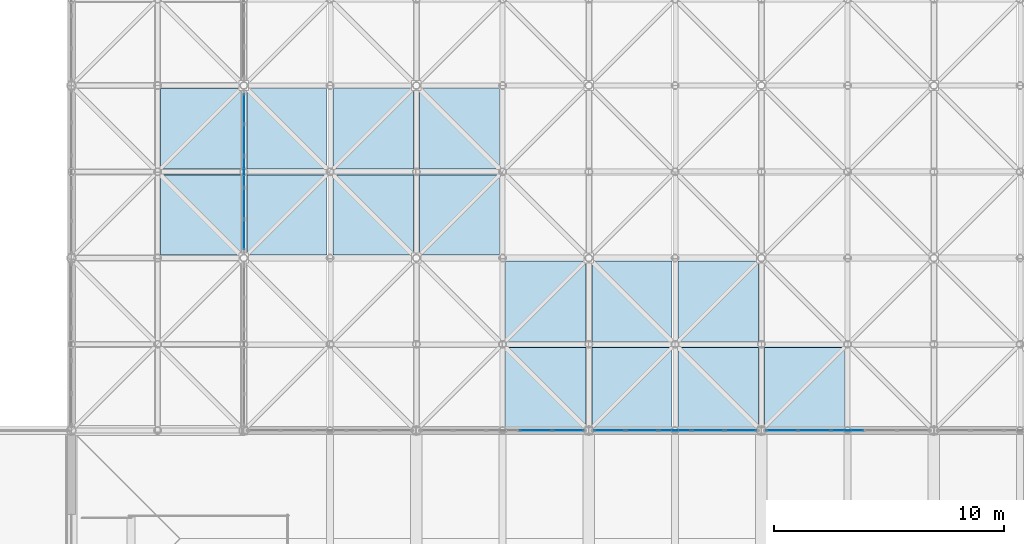
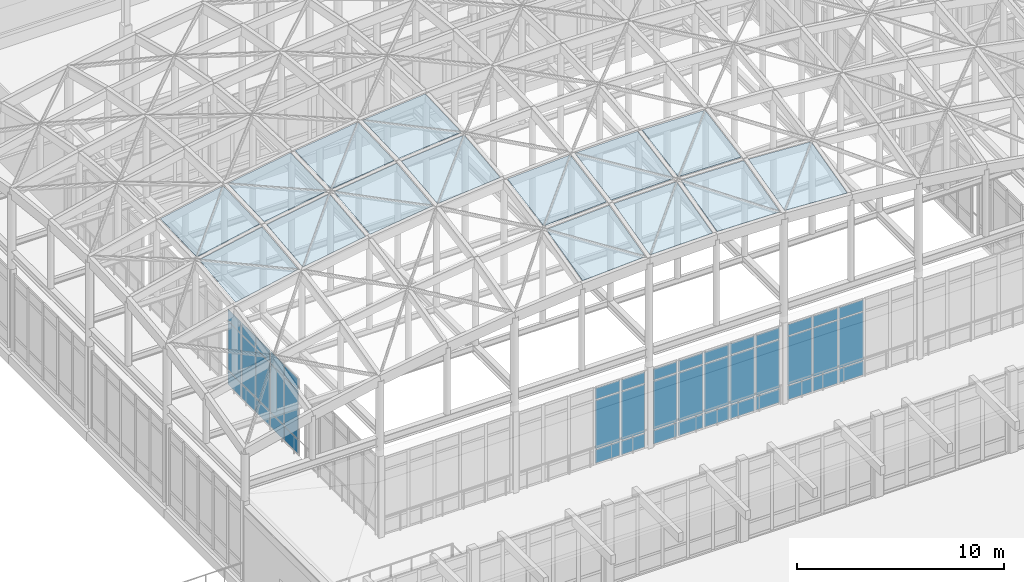
# One storey, part 80 of 131: 60 plates, 5 elements without a shape of their own.
"""IFC4 building model written with IfcOpenShell, lengths in metres."""

import ifcopenshell
import ifcopenshell.guid

model = None  # the IFC model being written
_history = None  # IfcOwnerHistory: only IFC2X3 demands one
_inside = {}  # id of a spatial element -> (the spatial element, [elements in it])
_under = {}  # id of a project, library or spatial element -> (it, [spatial elements below it])
_declared = {}  # id of a project -> (the project, [libraries it declares])
_typed = {}  # id of a type object -> (the type object, [elements of that type])
_made_of = {}  # id of a material, layer set ... -> (it, [elements and type objects made of it])


def new_model(schema):
    """Start an empty IFC model of exactly this schema.

    Asked for "IFC4X3", IfcOpenShell would pick the latest addendum, in which some entities
    have other attributes; the version numbers below select the first issue.
    IFC2X3 requires an IfcOwnerHistory on every rooted entity: one is made here for all.
    """
    global model, _history
    if schema == "IFC4X3":
        model = ifcopenshell.file(schema_version=(4, 3, 0, 0))
    else:
        model = ifcopenshell.file(schema=schema)
    _inside.clear()
    _under.clear()
    _declared.clear()
    _typed.clear()
    _made_of.clear()
    _history = None
    if model.schema == "IFC2X3":
        org = make("IfcOrganization", Name="unknown")
        user = make(
            "IfcPersonAndOrganization",
            ThePerson=make("IfcPerson", FamilyName="unknown"),
            TheOrganization=org,
        )
        app = make(
            "IfcApplication",
            ApplicationDeveloper=org,
            Version="unknown",
            ApplicationFullName="unknown",
            ApplicationIdentifier="unknown",
        )
        _history = make(
            "IfcOwnerHistory",
            OwningUser=user,
            OwningApplication=app,
            ChangeAction="ADDED",
            CreationDate=0,
        )
    return model


def make(cls, **values):
    """One entity of the class cls with the attributes given. An attribute that is None is left unset."""
    return model.create_entity(
        cls, **{name: value for name, value in values.items() if value is not None}
    )


def rooted(cls, **values):
    """An entity with a GlobalId (a new one), such as an element, a storey or a relation."""
    return make(cls, GlobalId=ifcopenshell.guid.new(), OwnerHistory=_history, **values)


def si_unit(unit_type, name, prefix=None):
    """IfcSIUnit, for example si_unit("LENGTHUNIT", "METRE", prefix="MILLI")."""
    return make("IfcSIUnit", UnitType=unit_type, Prefix=prefix, Name=name)


def assignment(units):
    """IfcUnitAssignment: the units of a project."""
    return None if units is None else make("IfcUnitAssignment", Units=units)


def point(xyz):
    """IfcCartesianPoint."""
    return None if xyz is None else make("IfcCartesianPoint", Coordinates=xyz)


def direction(xyz):
    """IfcDirection."""
    return None if xyz is None else make("IfcDirection", DirectionRatios=xyz)


def frame(location, z_axis=None, x_axis=None):
    """IfcAxis2Placement3D, a coordinate frame: its origin and axes. An axis left out is left unset."""
    return make(
        "IfcAxis2Placement3D",
        Location=point(location),
        Axis=direction(z_axis),
        RefDirection=direction(x_axis),
    )


def frame_2d(location, x_axis=None):
    """IfcAxis2Placement2D, a coordinate frame in the plane: its origin and x axis."""
    return make(
        "IfcAxis2Placement2D", Location=point(location), RefDirection=direction(x_axis)
    )


def origin():
    """The frame at (0, 0, 0) with its axes left unset."""
    return frame((0.0, 0.0, 0.0))


def origin_2d():
    """The frame at (0, 0) in the plane with its x axis left unset."""
    return frame_2d((0.0, 0.0))


def place(relative_to, where):
    """IfcLocalPlacement: puts the frame where relative to a parent placement (None: the world)."""
    return make(
        "IfcLocalPlacement", PlacementRelTo=relative_to, RelativePlacement=where
    )


def context(
    kind, dimensions, precision=None, world=None, true_north=None, identifier=None
):
    """IfcGeometricRepresentationContext, for example the 3D "Model" context."""
    return make(
        "IfcGeometricRepresentationContext",
        ContextIdentifier=identifier,
        ContextType=kind,
        CoordinateSpaceDimension=dimensions,
        Precision=precision,
        WorldCoordinateSystem=world,
        TrueNorth=true_north,
    )


def subcontext(parent, identifier, kind, view, scale=None):
    """IfcGeometricRepresentationSubContext, for example "Body" below "Model"."""
    return make(
        "IfcGeometricRepresentationSubContext",
        ContextIdentifier=identifier,
        ContextType=kind,
        ParentContext=parent,
        TargetScale=scale,
        TargetView=view,
    )


def project(units=None, contexts=None):
    """IfcProject with its units and contexts."""
    return rooted(
        "IfcProject",
        Name="project",
        RepresentationContexts=contexts,
        UnitsInContext=assignment(units),
    )


def spatial(cls, under=None, at=None, **own):
    """A site, building, storey or space (cls), placed at a placement, below another one or the project."""
    s = rooted(cls, ObjectPlacement=at, **own)
    if under is not None:
        _under.setdefault(under.id(), (under, []))[1].append(s)
    return s


def polyline(points):
    """IfcPolyline through the points."""
    return make("IfcPolyline", Points=[point(p) for p in points])


def profile(cls, at=None, kind="AREA", **sizes):
    """A parametric profile (cls). Its sizes go by their IFC names, for example OverallWidth=200.0."""
    return make(cls, ProfileType=kind, Position=at, **sizes)


def rectangle(**sizes):
    """IfcRectangleProfileDef."""
    return profile("IfcRectangleProfileDef", **sizes)


def outline(outer, holes=None, kind="AREA"):
    """IfcArbitraryClosedProfileDef: a profile drawn as a closed curve; with holes, ...WithVoids."""
    if holes is None:
        return make("IfcArbitraryClosedProfileDef", ProfileType=kind, OuterCurve=outer)
    return make(
        "IfcArbitraryProfileDefWithVoids",
        ProfileType=kind,
        OuterCurve=outer,
        InnerCurves=holes,
    )


def extrude(swept, where, along, depth):
    """IfcExtrudedAreaSolid: the profile swept, set in the frame where, extruded along a direction by depth."""
    return make(
        "IfcExtrudedAreaSolid",
        SweptArea=swept,
        Position=where,
        ExtrudedDirection=direction(along),
        Depth=depth,
    )


def shape(context_of_items, identifier, shape_type, items):
    """IfcShapeRepresentation: the items that make up one representation, for example the "Body"."""
    return make(
        "IfcShapeRepresentation",
        ContextOfItems=context_of_items,
        RepresentationIdentifier=identifier,
        RepresentationType=shape_type,
        Items=items,
    )


def material(Name=None, Category=None):
    """IfcMaterial."""
    return make("IfcMaterial", Name=Name, Category=Category)


def layer(
    of_material, thickness, ventilated=None, Name=None, Category=None, Priority=None
):
    """IfcMaterialLayer: one layer of a wall or slab, of a material (None: an air gap)."""
    return make(
        "IfcMaterialLayer",
        Material=of_material,
        LayerThickness=thickness,
        IsVentilated=ventilated,
        Name=Name,
        Category=Category,
        Priority=Priority,
    )


def layer_set(layers, Name=None):
    """IfcMaterialLayerSet."""
    return make("IfcMaterialLayerSet", MaterialLayers=layers, LayerSetName=Name)


def made_of(thing, what):
    """Note that an element or type object is made of a material, layer set ...; save() writes the relation."""
    if what is not None:
        _made_of.setdefault(what.id(), (what, []))[1].append(thing)
    return thing


def type_object(cls, material=None, **own):
    """A type object (cls), such as IfcWallType, which elements share."""
    return made_of(rooted(cls, **own), material)


def element(
    cls,
    number,
    at=None,
    inside=None,
    cuts=None,
    type_object=None,
    material=None,
    context=None,
    identifier="Body",
    shape_type=None,
    held_by="IfcProductDefinitionShape",
    body=None,
    shapes=None,
    **own,
):
    """One element of the class cls, such as IfcWall. Its Tag is "e" and its number.

    at: its placement. inside: the storey or other place that contains it. cuts: it is an
    opening in that element (IfcRelVoidsElement). A single representation is given by context,
    identifier, shape_type and body (its items); several are given by shapes. held_by: the class
    of the entity that holds the representations. save() writes the other relations.
    """
    e = rooted(cls, Tag="e%d" % number, ObjectPlacement=at, **own)
    if body is not None:
        shapes = [shape(context, identifier, shape_type, body)]
    if shapes is not None:
        e.Representation = make(held_by, Representations=shapes)
    if inside is not None:
        _inside.setdefault(inside.id(), (inside, []))[1].append(e)
    if cuts is not None:
        rooted(
            "IfcRelVoidsElement", RelatingBuildingElement=cuts, RelatedOpeningElement=e
        )
    if type_object is not None:
        _typed.setdefault(type_object.id(), (type_object, []))[1].append(e)
    return made_of(e, material)


def aggregate(whole, parts):
    """IfcRelAggregates: a whole, such as a stair, and the parts it consists of."""
    return rooted("IfcRelAggregates", RelatingObject=whole, RelatedObjects=parts)


def save(model, path):
    """Write the relations noted so far, then the file.

    IfcRelAggregates (storeys below a building ...), IfcRelContainedInSpatialStructure (elements
    in a storey), IfcRelDefinesByType, IfcRelAssociatesMaterial and IfcRelDeclares: one each for
    every whole, place, type object, material and project.
    """
    for whole, parts in _under.values():
        aggregate(whole, parts)
    for where, things in _inside.values():
        rooted(
            "IfcRelContainedInSpatialStructure",
            RelatedElements=things,
            RelatingStructure=where,
        )
    for kind, things in _typed.values():
        rooted("IfcRelDefinesByType", RelatedObjects=things, RelatingType=kind)
    for what, things in _made_of.values():
        rooted("IfcRelAssociatesMaterial", RelatedObjects=things, RelatingMaterial=what)
    for by, libraries in _declared.values():
        rooted("IfcRelDeclares", RelatingContext=by, RelatedDefinitions=libraries)
    model.write(path)


model = new_model("IFC4")

# Units and contexts
model_context = context("Model", 3, precision=1e-05, world=origin(), true_north=direction((0.0, 1.0)))
body_context = subcontext(model_context, "Body", "Model", "MODEL_VIEW")
ifc_project = project(units=[si_unit("LENGTHUNIT", "METRE"), si_unit("AREAUNIT", "SQUARE_METRE"), si_unit("VOLUMEUNIT", "CUBIC_METRE"), si_unit("PLANEANGLEUNIT", "RADIAN"), si_unit("MASSUNIT", "GRAM", prefix="KILO")], contexts=[model_context])

# Site, building, storey
site_placement = place(None, origin())
site = spatial("IfcSite", under=ifc_project, at=site_placement, CompositionType="ELEMENT")
building_placement = place(site_placement, origin())
building = spatial("IfcBuilding", under=site, at=building_placement, Name="Dalvernix Boulevard General Hospital", CompositionType="ELEMENT")
storey_placement = place(building_placement, frame((0.0, 0.0, 9.300048828125)))
storey = spatial("IfcBuildingStorey", under=building, at=storey_placement, Name="L02", CompositionType="ELEMENT", Elevation=9.300048828125)

# Curtain wall, plates
ifc_material_1 = material(Name="Thermally broken aluminium and solar-control glass curtain wall", Category="aluminium")
ifc_layer_1 = layer(ifc_material_1, 0.159912109375)
ifc_layer_set_1 = layer_set([ifc_layer_1], Name="Thermally broken aluminium and solar-control glass curtain wall (CW-CW-A-72x46)")
curtain_wall_type_1 = type_object("IfcCurtainWallType", Name="CW-CW-A-72x46", PredefinedType="USERDEFINED", material=ifc_layer_set_1)
curtain_wall_1_placement = place(storey_placement, origin())
curtain_wall_1 = element("IfcCurtainWall", 1, at=curtain_wall_1_placement, inside=storey, type_object=curtain_wall_type_1, Name="L02 curtain wall CW-A-72x46 12-4", ObjectType="GLAZED FACADE", PredefinedType="USERDEFINED")
ifc_material_2 = material(Name="Double-glazed solar-control low-emissivity glass", Category="glass")
ifc_layer_2 = layer(ifc_material_2, 0.02392578125)
ifc_layer_set_2 = layer_set([ifc_layer_2], Name="Double-glazed solar-control low-emissivity glass (PLT-CW-P1)")
plate_type_1 = type_object("IfcPlateType", Name="PLT-CW-P1", PredefinedType="CURTAIN_PANEL", material=ifc_layer_set_2)
plate_1_placement = place(storey_placement, frame((90.89306640625, 31.5, 0.059814453125), z_axis=(0.0, 0.0, 1.0), x_axis=(1.0, 0.0, 0.0)))
plate_1 = element("IfcPlate", 2, at=plate_1_placement, type_object=plate_type_1, Name="CW-A-72x46 panel 1.1", PredefinedType="CURTAIN_PANEL", context=body_context, shape_type="SweptSolid", body=[
    extrude(rectangle(XDim=1.345947265625, YDim=0.02392578125, at=origin_2d()), origin(), (0.0, 0.0, 1.0), 0.81005859375),
])
plate_2_placement = place(storey_placement, frame((90.89306640625, 31.5, 0.9296875), z_axis=(0.0, 0.0, 1.0), x_axis=(1.0, 0.0, 0.0)))
plate_2 = element("IfcPlate", 3, at=plate_2_placement, type_object=plate_type_1, Name="CW-A-72x46 panel 1.2", PredefinedType="CURTAIN_PANEL", context=body_context, shape_type="SweptSolid", body=[
    extrude(rectangle(XDim=1.345947265625, YDim=0.02392578125, at=origin_2d()), origin(), (0.0, 0.0, 1.0), 2.840087890625),
])
plate_3_placement = place(storey_placement, frame((90.89306640625, 31.5, 3.830078125), z_axis=(0.0, 0.0, 1.0), x_axis=(1.0, 0.0, 0.0)))
plate_3 = element("IfcPlate", 4, at=plate_3_placement, type_object=plate_type_1, Name="CW-A-72x46 panel 1.3", PredefinedType="CURTAIN_PANEL", context=body_context, shape_type="SweptSolid", body=[
    extrude(rectangle(XDim=1.345947265625, YDim=0.02392578125, at=origin_2d()), origin(), (0.0, 0.0, 1.0), 0.659912109375),
])
plate_4_placement = place(storey_placement, frame((92.31396484375, 31.5, 0.059814453125), z_axis=(0.0, 0.0, 1.0), x_axis=(1.0, 0.0, 0.0)))
plate_4 = element("IfcPlate", 5, at=plate_4_placement, type_object=plate_type_1, Name="CW-A-72x46 panel 2.1", PredefinedType="CURTAIN_PANEL", context=body_context, shape_type="SweptSolid", body=[
    extrude(rectangle(XDim=1.3759765625, YDim=0.02392578125, at=origin_2d()), origin(), (0.0, 0.0, 1.0), 0.81005859375),
])
plate_5_placement = place(storey_placement, frame((92.31396484375, 31.5, 0.9296875), z_axis=(0.0, 0.0, 1.0), x_axis=(1.0, 0.0, 0.0)))
plate_5 = element("IfcPlate", 6, at=plate_5_placement, type_object=plate_type_1, Name="CW-A-72x46 panel 2.2", PredefinedType="CURTAIN_PANEL", context=body_context, shape_type="SweptSolid", body=[
    extrude(rectangle(XDim=1.3759765625, YDim=0.02392578125, at=origin_2d()), origin(), (0.0, 0.0, 1.0), 2.840087890625),
])
plate_6_placement = place(storey_placement, frame((92.31396484375, 31.5, 3.830078125), z_axis=(0.0, 0.0, 1.0), x_axis=(1.0, 0.0, 0.0)))
plate_6 = element("IfcPlate", 7, at=plate_6_placement, type_object=plate_type_1, Name="CW-A-72x46 panel 2.3", PredefinedType="CURTAIN_PANEL", context=body_context, shape_type="SweptSolid", body=[
    extrude(rectangle(XDim=1.3759765625, YDim=0.02392578125, at=origin_2d()), origin(), (0.0, 0.0, 1.0), 0.659912109375),
])
plate_7_placement = place(storey_placement, frame((93.75, 31.5, 0.059814453125), z_axis=(0.0, 0.0, 1.0), x_axis=(1.0, 0.0, 0.0)))
plate_7 = element("IfcPlate", 8, at=plate_7_placement, type_object=plate_type_1, Name="CW-A-72x46 panel 3.1", PredefinedType="CURTAIN_PANEL", context=body_context, shape_type="SweptSolid", body=[
    extrude(rectangle(XDim=1.3759765625, YDim=0.02392578125, at=origin_2d()), origin(), (0.0, 0.0, 1.0), 0.81005859375),
])
plate_8_placement = place(storey_placement, frame((93.75, 31.5, 0.9296875), z_axis=(0.0, 0.0, 1.0), x_axis=(1.0, 0.0, 0.0)))
plate_8 = element("IfcPlate", 9, at=plate_8_placement, type_object=plate_type_1, Name="CW-A-72x46 panel 3.2", PredefinedType="CURTAIN_PANEL", context=body_context, shape_type="SweptSolid", body=[
    extrude(rectangle(XDim=1.3759765625, YDim=0.02392578125, at=origin_2d()), origin(), (0.0, 0.0, 1.0), 2.840087890625),
])
plate_9_placement = place(storey_placement, frame((93.75, 31.5, 3.830078125), z_axis=(0.0, 0.0, 1.0), x_axis=(1.0, 0.0, 0.0)))
plate_9 = element("IfcPlate", 10, at=plate_9_placement, type_object=plate_type_1, Name="CW-A-72x46 panel 3.3", PredefinedType="CURTAIN_PANEL", context=body_context, shape_type="SweptSolid", body=[
    extrude(rectangle(XDim=1.3759765625, YDim=0.02392578125, at=origin_2d()), origin(), (0.0, 0.0, 1.0), 0.659912109375),
])
aggregate(curtain_wall_1, [plate_1, plate_2, plate_3, plate_4, plate_5, plate_6, plate_7, plate_8, plate_9])

ifc_layer_3 = layer(ifc_material_1, 0.179931640625)
ifc_layer_set_3 = layer_set([ifc_layer_3], Name="Thermally broken aluminium and solar-control glass curtain wall (CW-CW-B-69x46)")
curtain_wall_type_2 = type_object("IfcCurtainWallType", Name="CW-CW-B-69x46", PredefinedType="USERDEFINED", material=ifc_layer_set_3)
curtain_wall_2_placement = place(storey_placement, origin())
curtain_wall_2 = element("IfcCurtainWall", 11, at=curtain_wall_2_placement, inside=storey, type_object=curtain_wall_type_2, Name="L02 curtain wall CW-B-69x46 9-5", ObjectType="GLAZED FACADE", PredefinedType="USERDEFINED")
ifc_layer_4 = layer(ifc_material_2, 0.028076171875)
ifc_layer_set_4 = layer_set([ifc_layer_4], Name="Double-glazed solar-control low-emissivity glass (PLT-CW-P2)")
plate_type_2 = type_object("IfcPlateType", Name="PLT-CW-P2", PredefinedType="CURTAIN_PANEL", material=ifc_layer_set_4)
plate_10_placement = place(storey_placement, frame((67.5, 45.48583984375, 0.06494140625), z_axis=(0.0, 0.0, 1.0), x_axis=(0.0, -1.0, 0.0)))
plate_10 = element("IfcPlate", 12, at=plate_10_placement, type_object=plate_type_2, Name="CW-B-69x46 panel 1.1", PredefinedType="CURTAIN_PANEL", context=body_context, shape_type="SweptSolid", body=[
    extrude(rectangle(XDim=1.278564453125, YDim=0.028076171875, at=origin_2d()), origin(), (0.0, 0.0, 1.0), 0.802490234375),
])
plate_11_placement = place(storey_placement, frame((67.5, 45.48583984375, 0.932373046875), z_axis=(0.0, 0.0, 1.0), x_axis=(0.0, -1.0, 0.0)))
plate_11 = element("IfcPlate", 13, at=plate_11_placement, type_object=plate_type_2, Name="CW-B-69x46 panel 1.2", PredefinedType="CURTAIN_PANEL", context=body_context, shape_type="SweptSolid", body=[
    extrude(rectangle(XDim=1.278564453125, YDim=0.028076171875, at=origin_2d()), origin(), (0.0, 0.0, 1.0), 2.8349609375),
])
plate_12_placement = place(storey_placement, frame((67.5, 45.48583984375, 3.83251953125), z_axis=(0.0, 0.0, 1.0), x_axis=(0.0, -1.0, 0.0)))
plate_12 = element("IfcPlate", 14, at=plate_12_placement, type_object=plate_type_2, Name="CW-B-69x46 panel 1.3", PredefinedType="CURTAIN_PANEL", context=body_context, shape_type="SweptSolid", body=[
    extrude(rectangle(XDim=1.278564453125, YDim=0.028076171875, at=origin_2d()), origin(), (0.0, 0.0, 1.0), 0.652587890625),
])
plate_13_placement = place(storey_placement, frame((67.5, 44.1259765625, 0.06494140625), z_axis=(0.0, 0.0, 1.0), x_axis=(0.0, -1.0, 0.0)))
plate_13 = element("IfcPlate", 15, at=plate_13_placement, type_object=plate_type_2, Name="CW-B-69x46 panel 2.1", PredefinedType="CURTAIN_PANEL", context=body_context, shape_type="SweptSolid", body=[
    extrude(rectangle(XDim=1.31103515625, YDim=0.028076171875, at=origin_2d()), origin(), (0.0, 0.0, 1.0), 0.802490234375),
])
plate_14_placement = place(storey_placement, frame((67.5, 44.1259765625, 0.932373046875), z_axis=(0.0, 0.0, 1.0), x_axis=(0.0, -1.0, 0.0)))
plate_14 = element("IfcPlate", 16, at=plate_14_placement, type_object=plate_type_2, Name="CW-B-69x46 panel 2.2", PredefinedType="CURTAIN_PANEL", context=body_context, shape_type="SweptSolid", body=[
    extrude(rectangle(XDim=1.31103515625, YDim=0.028076171875, at=origin_2d()), origin(), (0.0, 0.0, 1.0), 2.8349609375),
])
plate_15_placement = place(storey_placement, frame((67.5, 44.1259765625, 3.83251953125), z_axis=(0.0, 0.0, 1.0), x_axis=(0.0, -1.0, 0.0)))
plate_15 = element("IfcPlate", 17, at=plate_15_placement, type_object=plate_type_2, Name="CW-B-69x46 panel 2.3", PredefinedType="CURTAIN_PANEL", context=body_context, shape_type="SweptSolid", body=[
    extrude(rectangle(XDim=1.31103515625, YDim=0.028076171875, at=origin_2d()), origin(), (0.0, 0.0, 1.0), 0.652587890625),
])
plate_16_placement = place(storey_placement, frame((67.5, 42.75, 0.06494140625), z_axis=(0.0, 0.0, 1.0), x_axis=(0.0, -1.0, 0.0)))
plate_16 = element("IfcPlate", 18, at=plate_16_placement, type_object=plate_type_2, Name="CW-B-69x46 panel 3.1", PredefinedType="CURTAIN_PANEL", context=body_context, shape_type="SweptSolid", body=[
    extrude(rectangle(XDim=1.31103515625, YDim=0.028076171875, at=origin_2d()), origin(), (0.0, 0.0, 1.0), 0.802490234375),
])
plate_17_placement = place(storey_placement, frame((67.5, 42.75, 0.932373046875), z_axis=(0.0, 0.0, 1.0), x_axis=(0.0, -1.0, 0.0)))
plate_17 = element("IfcPlate", 19, at=plate_17_placement, type_object=plate_type_2, Name="CW-B-69x46 panel 3.2", PredefinedType="CURTAIN_PANEL", context=body_context, shape_type="SweptSolid", body=[
    extrude(rectangle(XDim=1.31103515625, YDim=0.028076171875, at=origin_2d()), origin(), (0.0, 0.0, 1.0), 2.8349609375),
])
plate_18_placement = place(storey_placement, frame((67.5, 42.75, 3.83251953125), z_axis=(0.0, 0.0, 1.0), x_axis=(0.0, -1.0, 0.0)))
plate_18 = element("IfcPlate", 20, at=plate_18_placement, type_object=plate_type_2, Name="CW-B-69x46 panel 3.3", PredefinedType="CURTAIN_PANEL", context=body_context, shape_type="SweptSolid", body=[
    extrude(rectangle(XDim=1.31103515625, YDim=0.028076171875, at=origin_2d()), origin(), (0.0, 0.0, 1.0), 0.652587890625),
])
plate_19_placement = place(storey_placement, frame((67.5, 41.3740234375, 0.06494140625), z_axis=(0.0, 0.0, 1.0), x_axis=(0.0, -1.0, 0.0)))
plate_19 = element("IfcPlate", 21, at=plate_19_placement, type_object=plate_type_2, Name="CW-B-69x46 panel 4.1", PredefinedType="CURTAIN_PANEL", context=body_context, shape_type="SweptSolid", body=[
    extrude(rectangle(XDim=1.31103515625, YDim=0.028076171875, at=origin_2d()), origin(), (0.0, 0.0, 1.0), 0.802490234375),
])
plate_20_placement = place(storey_placement, frame((67.5, 41.3740234375, 0.932373046875), z_axis=(0.0, 0.0, 1.0), x_axis=(0.0, -1.0, 0.0)))
plate_20 = element("IfcPlate", 22, at=plate_20_placement, type_object=plate_type_2, Name="CW-B-69x46 panel 4.2", PredefinedType="CURTAIN_PANEL", context=body_context, shape_type="SweptSolid", body=[
    extrude(rectangle(XDim=1.31103515625, YDim=0.028076171875, at=origin_2d()), origin(), (0.0, 0.0, 1.0), 2.8349609375),
])
plate_21_placement = place(storey_placement, frame((67.5, 41.3740234375, 3.83251953125), z_axis=(0.0, 0.0, 1.0), x_axis=(0.0, -1.0, 0.0)))
plate_21 = element("IfcPlate", 23, at=plate_21_placement, type_object=plate_type_2, Name="CW-B-69x46 panel 4.3", PredefinedType="CURTAIN_PANEL", context=body_context, shape_type="SweptSolid", body=[
    extrude(rectangle(XDim=1.31103515625, YDim=0.028076171875, at=origin_2d()), origin(), (0.0, 0.0, 1.0), 0.652587890625),
])
plate_22_placement = place(storey_placement, frame((67.5, 40.01416015625, 0.06494140625), z_axis=(0.0, 0.0, 1.0), x_axis=(0.0, -1.0, 0.0)))
plate_22 = element("IfcPlate", 24, at=plate_22_placement, type_object=plate_type_2, Name="CW-B-69x46 panel 5.1", PredefinedType="CURTAIN_PANEL", context=body_context, shape_type="SweptSolid", body=[
    extrude(rectangle(XDim=1.278564453125, YDim=0.028076171875, at=origin_2d()), origin(), (0.0, 0.0, 1.0), 0.802490234375),
])
plate_23_placement = place(storey_placement, frame((67.5, 40.01416015625, 0.932373046875), z_axis=(0.0, 0.0, 1.0), x_axis=(0.0, -1.0, 0.0)))
plate_23 = element("IfcPlate", 25, at=plate_23_placement, type_object=plate_type_2, Name="CW-B-69x46 panel 5.2", PredefinedType="CURTAIN_PANEL", context=body_context, shape_type="SweptSolid", body=[
    extrude(rectangle(XDim=1.278564453125, YDim=0.028076171875, at=origin_2d()), origin(), (0.0, 0.0, 1.0), 2.8349609375),
])
plate_24_placement = place(storey_placement, frame((67.5, 40.01416015625, 3.83251953125), z_axis=(0.0, 0.0, 1.0), x_axis=(0.0, -1.0, 0.0)))
plate_24 = element("IfcPlate", 26, at=plate_24_placement, type_object=plate_type_2, Name="CW-B-69x46 panel 5.3", PredefinedType="CURTAIN_PANEL", context=body_context, shape_type="SweptSolid", body=[
    extrude(rectangle(XDim=1.278564453125, YDim=0.028076171875, at=origin_2d()), origin(), (0.0, 0.0, 1.0), 0.652587890625),
])
aggregate(curtain_wall_2, [plate_10, plate_11, plate_12, plate_13, plate_14, plate_15, plate_16, plate_17, plate_18, plate_19, plate_20, plate_21, plate_22, plate_23, plate_24])

ifc_layer_5 = layer(ifc_material_1, 0.179931640625)
ifc_layer_set_5 = layer_set([ifc_layer_5], Name="Thermally broken aluminium and solar-control glass curtain wall (CW-CW-B-72x46)")
curtain_wall_type_3 = type_object("IfcCurtainWallType", Name="CW-CW-B-72x46", PredefinedType="USERDEFINED", material=ifc_layer_set_5)
curtain_wall_3_placement = place(storey_placement, origin())
curtain_wall_3 = element("IfcCurtainWall", 27, at=curtain_wall_3_placement, inside=storey, type_object=curtain_wall_type_3, Name="L02 curtain wall CW-B-72x46 10-4", ObjectType="GLAZED FACADE", PredefinedType="USERDEFINED")
plate_25_placement = place(storey_placement, frame((80.18603515625, 31.5, 0.06494140625), z_axis=(0.0, 0.0, 1.0), x_axis=(1.0, 0.0, 0.0)))
plate_25 = element("IfcPlate", 28, at=plate_25_placement, type_object=plate_type_2, Name="CW-B-72x46 panel 4.1", PredefinedType="CURTAIN_PANEL", context=body_context, shape_type="SweptSolid", body=[
    extrude(rectangle(XDim=1.37109375, YDim=0.028076171875, at=origin_2d()), origin(), (0.0, 0.0, 1.0), 0.802490234375),
])
plate_26_placement = place(storey_placement, frame((80.18603515625, 31.5, 0.932373046875), z_axis=(0.0, 0.0, 1.0), x_axis=(1.0, 0.0, 0.0)))
plate_26 = element("IfcPlate", 29, at=plate_26_placement, type_object=plate_type_2, Name="CW-B-72x46 panel 4.2", PredefinedType="CURTAIN_PANEL", context=body_context, shape_type="SweptSolid", body=[
    extrude(rectangle(XDim=1.37109375, YDim=0.028076171875, at=origin_2d()), origin(), (0.0, 0.0, 1.0), 2.8349609375),
])
plate_27_placement = place(storey_placement, frame((80.18603515625, 31.5, 3.83251953125), z_axis=(0.0, 0.0, 1.0), x_axis=(1.0, 0.0, 0.0)))
plate_27 = element("IfcPlate", 30, at=plate_27_placement, type_object=plate_type_2, Name="CW-B-72x46 panel 4.3", PredefinedType="CURTAIN_PANEL", context=body_context, shape_type="SweptSolid", body=[
    extrude(rectangle(XDim=1.37109375, YDim=0.028076171875, at=origin_2d()), origin(), (0.0, 0.0, 1.0), 0.652587890625),
])
plate_28_placement = place(storey_placement, frame((81.605712890625, 31.5, 0.06494140625), z_axis=(0.0, 0.0, 1.0), x_axis=(1.0, 0.0, 0.0)))
plate_28 = element("IfcPlate", 31, at=plate_28_placement, type_object=plate_type_2, Name="CW-B-72x46 panel 5.1", PredefinedType="CURTAIN_PANEL", context=body_context, shape_type="SweptSolid", body=[
    extrude(rectangle(XDim=1.33837890625, YDim=0.028076171875, at=origin_2d()), origin(), (0.0, 0.0, 1.0), 0.802490234375),
])
plate_29_placement = place(storey_placement, frame((81.605712890625, 31.5, 0.932373046875), z_axis=(0.0, 0.0, 1.0), x_axis=(1.0, 0.0, 0.0)))
plate_29 = element("IfcPlate", 32, at=plate_29_placement, type_object=plate_type_2, Name="CW-B-72x46 panel 5.2", PredefinedType="CURTAIN_PANEL", context=body_context, shape_type="SweptSolid", body=[
    extrude(rectangle(XDim=1.33837890625, YDim=0.028076171875, at=origin_2d()), origin(), (0.0, 0.0, 1.0), 2.8349609375),
])
plate_30_placement = place(storey_placement, frame((81.605712890625, 31.5, 3.83251953125), z_axis=(0.0, 0.0, 1.0), x_axis=(1.0, 0.0, 0.0)))
plate_30 = element("IfcPlate", 33, at=plate_30_placement, type_object=plate_type_2, Name="CW-B-72x46 panel 5.3", PredefinedType="CURTAIN_PANEL", context=body_context, shape_type="SweptSolid", body=[
    extrude(rectangle(XDim=1.33837890625, YDim=0.028076171875, at=origin_2d()), origin(), (0.0, 0.0, 1.0), 0.652587890625),
])
aggregate(curtain_wall_3, [plate_25, plate_26, plate_27, plate_28, plate_29, plate_30])

ifc_layer_6 = layer(ifc_material_1, 0.199951171875)
ifc_layer_set_6 = layer_set([ifc_layer_6], Name="Thermally broken aluminium and solar-control glass curtain wall (CW-CW-C-72x46)")
curtain_wall_type_4 = type_object("IfcCurtainWallType", Name="CW-CW-C-72x46", PredefinedType="USERDEFINED", material=ifc_layer_set_6)
curtain_wall_4_placement = place(storey_placement, origin())
curtain_wall_4 = element("IfcCurtainWall", 34, at=curtain_wall_4_placement, inside=storey, type_object=curtain_wall_type_4, Name="L02 curtain wall CW-C-72x46 11-4", ObjectType="GLAZED FACADE", PredefinedType="USERDEFINED")
ifc_layer_7 = layer(ifc_material_2, 0.035888671875)
ifc_layer_set_7 = layer_set([ifc_layer_7], Name="Double-glazed solar-control low-emissivity glass (PLT-CW-P3)")
plate_type_3 = type_object("IfcPlateType", Name="PLT-CW-P3", PredefinedType="CURTAIN_PANEL", material=ifc_layer_set_7)
plate_31_placement = place(storey_placement, frame((83.3955078125, 31.5, 0.070068359375), z_axis=(0.0, 0.0, 1.0), x_axis=(1.0, 0.0, 0.0)))
plate_31 = element("IfcPlate", 35, at=plate_31_placement, type_object=plate_type_3, Name="CW-C-72x46 panel 1.1", PredefinedType="CURTAIN_PANEL", context=body_context, shape_type="SweptSolid", body=[
    extrude(rectangle(XDim=1.3310546875, YDim=0.035888671875, at=origin_2d()), origin(), (0.0, 0.0, 1.0), 0.794921875),
])
plate_32_placement = place(storey_placement, frame((83.3955078125, 31.5, 0.934814453125), z_axis=(0.0, 0.0, 1.0), x_axis=(1.0, 0.0, 0.0)))
plate_32 = element("IfcPlate", 36, at=plate_32_placement, type_object=plate_type_3, Name="CW-C-72x46 panel 1.2", PredefinedType="CURTAIN_PANEL", context=body_context, shape_type="SweptSolid", body=[
    extrude(rectangle(XDim=1.3310546875, YDim=0.035888671875, at=origin_2d()), origin(), (0.0, 0.0, 1.0), 2.830078125),
])
plate_33_placement = place(storey_placement, frame((83.3955078125, 31.5, 3.8349609375), z_axis=(0.0, 0.0, 1.0), x_axis=(1.0, 0.0, 0.0)))
plate_33 = element("IfcPlate", 37, at=plate_33_placement, type_object=plate_type_3, Name="CW-C-72x46 panel 1.3", PredefinedType="CURTAIN_PANEL", context=body_context, shape_type="SweptSolid", body=[
    extrude(rectangle(XDim=1.3310546875, YDim=0.035888671875, at=origin_2d()), origin(), (0.0, 0.0, 1.0), 0.64501953125),
])
plate_34_placement = place(storey_placement, frame((84.81396484375, 31.5, 0.070068359375), z_axis=(0.0, 0.0, 1.0), x_axis=(1.0, 0.0, 0.0)))
plate_34 = element("IfcPlate", 38, at=plate_34_placement, type_object=plate_type_3, Name="CW-C-72x46 panel 2.1", PredefinedType="CURTAIN_PANEL", context=body_context, shape_type="SweptSolid", body=[
    extrude(rectangle(XDim=1.365966796875, YDim=0.035888671875, at=origin_2d()), origin(), (0.0, 0.0, 1.0), 0.794921875),
])
plate_35_placement = place(storey_placement, frame((84.81396484375, 31.5, 0.934814453125), z_axis=(0.0, 0.0, 1.0), x_axis=(1.0, 0.0, 0.0)))
plate_35 = element("IfcPlate", 39, at=plate_35_placement, type_object=plate_type_3, Name="CW-C-72x46 panel 2.2", PredefinedType="CURTAIN_PANEL", context=body_context, shape_type="SweptSolid", body=[
    extrude(rectangle(XDim=1.365966796875, YDim=0.035888671875, at=origin_2d()), origin(), (0.0, 0.0, 1.0), 2.830078125),
])
plate_36_placement = place(storey_placement, frame((84.81396484375, 31.5, 3.8349609375), z_axis=(0.0, 0.0, 1.0), x_axis=(1.0, 0.0, 0.0)))
plate_36 = element("IfcPlate", 40, at=plate_36_placement, type_object=plate_type_3, Name="CW-C-72x46 panel 2.3", PredefinedType="CURTAIN_PANEL", context=body_context, shape_type="SweptSolid", body=[
    extrude(rectangle(XDim=1.365966796875, YDim=0.035888671875, at=origin_2d()), origin(), (0.0, 0.0, 1.0), 0.64501953125),
])
plate_37_placement = place(storey_placement, frame((86.25, 31.5, 0.070068359375), z_axis=(0.0, 0.0, 1.0), x_axis=(1.0, 0.0, 0.0)))
plate_37 = element("IfcPlate", 41, at=plate_37_placement, type_object=plate_type_3, Name="CW-C-72x46 panel 3.1", PredefinedType="CURTAIN_PANEL", context=body_context, shape_type="SweptSolid", body=[
    extrude(rectangle(XDim=1.365966796875, YDim=0.035888671875, at=origin_2d()), origin(), (0.0, 0.0, 1.0), 0.794921875),
])
plate_38_placement = place(storey_placement, frame((86.25, 31.5, 0.934814453125), z_axis=(0.0, 0.0, 1.0), x_axis=(1.0, 0.0, 0.0)))
plate_38 = element("IfcPlate", 42, at=plate_38_placement, type_object=plate_type_3, Name="CW-C-72x46 panel 3.2", PredefinedType="CURTAIN_PANEL", context=body_context, shape_type="SweptSolid", body=[
    extrude(rectangle(XDim=1.365966796875, YDim=0.035888671875, at=origin_2d()), origin(), (0.0, 0.0, 1.0), 2.830078125),
])
plate_39_placement = place(storey_placement, frame((86.25, 31.5, 3.8349609375), z_axis=(0.0, 0.0, 1.0), x_axis=(1.0, 0.0, 0.0)))
plate_39 = element("IfcPlate", 43, at=plate_39_placement, type_object=plate_type_3, Name="CW-C-72x46 panel 3.3", PredefinedType="CURTAIN_PANEL", context=body_context, shape_type="SweptSolid", body=[
    extrude(rectangle(XDim=1.365966796875, YDim=0.035888671875, at=origin_2d()), origin(), (0.0, 0.0, 1.0), 0.64501953125),
])
plate_40_placement = place(storey_placement, frame((87.68603515625, 31.5, 0.070068359375), z_axis=(0.0, 0.0, 1.0), x_axis=(1.0, 0.0, 0.0)))
plate_40 = element("IfcPlate", 44, at=plate_40_placement, type_object=plate_type_3, Name="CW-C-72x46 panel 4.1", PredefinedType="CURTAIN_PANEL", context=body_context, shape_type="SweptSolid", body=[
    extrude(rectangle(XDim=1.365966796875, YDim=0.035888671875, at=origin_2d()), origin(), (0.0, 0.0, 1.0), 0.794921875),
])
plate_41_placement = place(storey_placement, frame((87.68603515625, 31.5, 0.934814453125), z_axis=(0.0, 0.0, 1.0), x_axis=(1.0, 0.0, 0.0)))
plate_41 = element("IfcPlate", 45, at=plate_41_placement, type_object=plate_type_3, Name="CW-C-72x46 panel 4.2", PredefinedType="CURTAIN_PANEL", context=body_context, shape_type="SweptSolid", body=[
    extrude(rectangle(XDim=1.365966796875, YDim=0.035888671875, at=origin_2d()), origin(), (0.0, 0.0, 1.0), 2.830078125),
])
plate_42_placement = place(storey_placement, frame((87.68603515625, 31.5, 3.8349609375), z_axis=(0.0, 0.0, 1.0), x_axis=(1.0, 0.0, 0.0)))
plate_42 = element("IfcPlate", 46, at=plate_42_placement, type_object=plate_type_3, Name="CW-C-72x46 panel 4.3", PredefinedType="CURTAIN_PANEL", context=body_context, shape_type="SweptSolid", body=[
    extrude(rectangle(XDim=1.365966796875, YDim=0.035888671875, at=origin_2d()), origin(), (0.0, 0.0, 1.0), 0.64501953125),
])
plate_43_placement = place(storey_placement, frame((89.1044921875, 31.5, 0.070068359375), z_axis=(0.0, 0.0, 1.0), x_axis=(1.0, 0.0, 0.0)))
plate_43 = element("IfcPlate", 47, at=plate_43_placement, type_object=plate_type_3, Name="CW-C-72x46 panel 5.1", PredefinedType="CURTAIN_PANEL", context=body_context, shape_type="SweptSolid", body=[
    extrude(rectangle(XDim=1.3310546875, YDim=0.035888671875, at=origin_2d()), origin(), (0.0, 0.0, 1.0), 0.794921875),
])
plate_44_placement = place(storey_placement, frame((89.1044921875, 31.5, 0.934814453125), z_axis=(0.0, 0.0, 1.0), x_axis=(1.0, 0.0, 0.0)))
plate_44 = element("IfcPlate", 48, at=plate_44_placement, type_object=plate_type_3, Name="CW-C-72x46 panel 5.2", PredefinedType="CURTAIN_PANEL", context=body_context, shape_type="SweptSolid", body=[
    extrude(rectangle(XDim=1.3310546875, YDim=0.035888671875, at=origin_2d()), origin(), (0.0, 0.0, 1.0), 2.830078125),
])
plate_45_placement = place(storey_placement, frame((89.1044921875, 31.5, 3.8349609375), z_axis=(0.0, 0.0, 1.0), x_axis=(1.0, 0.0, 0.0)))
plate_45 = element("IfcPlate", 49, at=plate_45_placement, type_object=plate_type_3, Name="CW-C-72x46 panel 5.3", PredefinedType="CURTAIN_PANEL", context=body_context, shape_type="SweptSolid", body=[
    extrude(rectangle(XDim=1.3310546875, YDim=0.035888671875, at=origin_2d()), origin(), (0.0, 0.0, 1.0), 0.64501953125),
])
aggregate(curtain_wall_4, [plate_31, plate_32, plate_33, plate_34, plate_35, plate_36, plate_37, plate_38, plate_39, plate_40, plate_41, plate_42, plate_43, plate_44, plate_45])

# Roof, plates
ifc_material_3 = material(Name="Polychrome Catalan glazed terracotta tile roof system", Category="masonry")
roof_type = type_object("IfcRoofType", Name="ROOF-HIP-01", PredefinedType="HIP_ROOF", material=ifc_material_3)
roof_placement = place(storey_placement, origin())
roof = element("IfcRoof", 50, at=roof_placement, inside=storey, type_object=roof_type, Name="V1 Arrival Hall and Botanical Conservatory Dome Vault Gridshell Roof", PredefinedType="HIP_ROOF")
ifc_material_4 = material(Name="Laminated solar-control glass", Category="glass")
ifc_layer_8 = layer(ifc_material_4, 0.031982421875)
ifc_layer_set_8 = layer_set([ifc_layer_8], Name="Laminated solar-control glass (PLT-GP-01)")
plate_type_4 = type_object("IfcPlateType", Name="PLT-GP-01", PredefinedType="SHEET", material=ifc_layer_set_8)
plate_46_placement = place(storey_placement, frame((63.8798828125, 39.1298828125, 10.399658203125), z_axis=(-0.19831517465, -0.107131084038, 0.974265888932), x_axis=(0.97990533738, 0.0, 0.19946310379)))
plate_46 = element("IfcPlate", 51, at=plate_46_placement, type_object=plate_type_4, Name="Gridshell solar-control glazing panel 2-3", PredefinedType="SHEET", context=body_context, shape_type="SweptSolid", body=[
    extrude(outline(polyline([(0.0, 0.0), (3.5618076990278587, -1.3877787807814457e-17), (3.638359456634632, 3.5104372755161974), (0.07655175760677342, 3.5104372755161974), (0.0, 0.0)])), origin(), (0.0, 0.0, -1.0), 0.031982421875),
])
plate_47_placement = place(storey_placement, frame((63.8798828125, 42.8798828125, 10.802734375), z_axis=(-0.199268791461, -0.035894412762, 0.979287261166), x_axis=(0.979918732622, 0.0, 0.199397285478)))
plate_47 = element("IfcPlate", 52, at=plate_47_placement, type_object=plate_type_4, Name="Gridshell solar-control glazing panel 2-4", PredefinedType="SHEET", context=body_context, shape_type="SweptSolid", body=[
    extrude(outline(polyline([(0.0, 0.0), (3.5617590100154413, 3.469446951953614e-18), (3.58726784243503, 3.4924849744621773), (0.02550883241958878, 3.4924849744621778), (0.0, 0.0)])), origin(), (0.0, 0.0, -1.0), 0.031982421875),
])
plate_48_placement = place(storey_placement, frame((67.6298828125, 39.1298828125, 11.158203125), z_axis=(-0.163295130925, -0.107868764284, 0.980662546398), x_axis=(0.986418221241, -3.649508e-06, 0.164253136319)))
plate_48 = element("IfcPlate", 53, at=plate_48_placement, type_object=plate_type_4, Name="Gridshell solar-control glazing panel 3-3", PredefinedType="SHEET", context=body_context, shape_type="SweptSolid", body=[
    extrude(outline(polyline([(0.0, 0.0), (3.538270838696062, 0.0), (3.6013367591229133, 3.5107321414320936), (0.06302581956349193, 3.5107061638172152), (0.0, 0.0)])), origin(), (0.0, 0.0, -1.0), 0.031982421875),
])
plate_49_placement = place(storey_placement, frame((67.6298828125, 42.8798828125, 11.56103515625), z_axis=(-0.164179820632, -0.036131972285, 0.985768465247), x_axis=(0.986412565919, 0.0, 0.164287095653)))
plate_49 = element("IfcPlate", 54, at=plate_49_placement, type_object=plate_type_4, Name="Gridshell solar-control glazing panel 3-4", PredefinedType="SHEET", context=body_context, shape_type="SweptSolid", body=[
    extrude(outline(polyline([(0.0, 0.0), (3.5383109416798204, 0.0), (3.559328138486962, 3.492514892568657), (0.02101719680714164, 3.492514892568657), (0.0, 0.0)])), origin(), (0.0, 0.0, -1.0), 0.031982421875),
])
plate_50_placement = place(storey_placement, frame((71.3798828125, 39.1298828125, 11.77783203125), z_axis=(-0.127647235765, -0.10847601397, 0.985869736626), x_axis=(0.991721820954, 0.0, 0.128404944781)))
plate_50 = element("IfcPlate", 55, at=plate_50_placement, type_object=plate_type_4, Name="Gridshell solar-control glazing panel 4-3", PredefinedType="SHEET", context=body_context, shape_type="SweptSolid", body=[
    extrude(outline(polyline([(0.0, 0.0), (3.519368336216846, 0.0), (3.5686800984580813, 3.51095227020231), (0.049311762241235374, 3.51095227020231), (0.0, 0.0)])), origin(), (0.0, 0.0, -1.0), 0.031982421875),
])
plate_51_placement = place(storey_placement, frame((71.3798828125, 42.8798828125, 12.1806640625), z_axis=(-0.12835412545, -0.036360647474, 0.991061613521), x_axis=(0.991717397651, 1.249896e-06, 0.128439103058)))
plate_51 = element("IfcPlate", 56, at=plate_51_placement, type_object=plate_type_4, Name="Gridshell solar-control glazing panel 4-4", PredefinedType="SHEET", context=body_context, shape_type="SweptSolid", body=[
    extrude(outline(polyline([(0.0, 0.0), (3.5193996913293843, -3.469446951953614e-18), (3.535835228074887, 3.4925394565947867), (0.016466893948397898, 3.492548260141237), (0.0, 0.0)])), origin(), (0.0, 0.0, -1.0), 0.031982421875),
])
plate_52_placement = place(storey_placement, frame((75.1298828125, 39.1298828125, 12.2587890625), z_axis=(-0.091533494992, -0.108843157433, 0.989835737067), x_axis=(0.995751561403, 0.0, 0.092080551495)))
plate_52 = element("IfcPlate", 57, at=plate_52_placement, type_object=plate_type_4, Name="Gridshell solar-control glazing panel 5-3", PredefinedType="SHEET", context=body_context, shape_type="SweptSolid", body=[
    extrude(outline(polyline([(0.0, 0.0), (3.5051256862531015, -6.938893903907228e-18), (3.5404651947859076, 3.5110940112823705), (0.03533950853280641, 3.511094011282371), (0.0, 0.0)])), origin(), (0.0, 0.0, -1.0), 0.031982421875),
])
plate_53_placement = place(storey_placement, frame((75.1298828125, 42.8798828125, 12.66162109375), z_axis=(-0.092088298696, -0.036473370005, 0.995082628993), x_axis=(0.99574517266, 0.0, 0.092149612719)))
plate_53 = element("IfcPlate", 58, at=plate_53_placement, type_object=plate_type_4, Name="Gridshell solar-control glazing panel 5-4", PredefinedType="SHEET", context=body_context, shape_type="SweptSolid", body=[
    extrude(outline(polyline([(0.0, 0.0), (3.505148175286846, 0.0), (3.5169368464452195, 3.4925582349629916), (0.011788671158373376, 3.492558234962992), (0.0, 0.0)])), origin(), (0.0, 0.0, -1.0), 0.031982421875),
])
plate_54_placement = place(storey_placement, frame((78.8798828125, 31.6298828125, 10.969970703125), z_axis=(-0.05368470132, -0.248262144287, 0.967204146268), x_axis=(0.998463264685, -8.385269e-06, 0.055417587492)))
plate_54 = element("IfcPlate", 59, at=plate_54_placement, type_object=plate_type_4, Name="Gridshell solar-control glazing panel 6-1", PredefinedType="SHEET", context=body_context, shape_type="SweptSolid", body=[
    extrude(outline(polyline([(0.0, 0.0), (3.4955998483456607, 0.0), (3.5452245237095066, 3.6030656905060914), (0.0496111456793998, 3.603005172663991), (0.0, 0.0)])), origin(), (0.0, 0.0, -1.0), 0.031982421875),
])
plate_55_placement = place(storey_placement, frame((78.8798828125, 35.3798828125, 11.9228515625), z_axis=(-0.054514227539, -0.180030917789, 0.982149208438), x_axis=(0.998463082976, 6.174634e-06, 0.055420861568)))
plate_55 = element("IfcPlate", 60, at=plate_55_placement, type_object=plate_type_4, Name="Gridshell solar-control glazing panel 6-2", PredefinedType="SHEET", context=body_context, shape_type="SweptSolid", body=[
    extrude(outline(polyline([(0.0, 0.0), (3.4956133784918704, -6.938893903907228e-18), (3.5310847969188015, 3.5481865621932425), (0.03548494891071243, 3.548230447419952), (0.0, 0.0)])), origin(), (0.0, 0.0, -1.0), 0.031982421875),
])
plate_56_placement = place(storey_placement, frame((82.6298828125, 31.6298828125, 11.17333984375), z_axis=(-0.01788415654, -0.248549130099, 0.968454173862), x_axis=(0.99982953402, 0.0, 0.018463556028)))
plate_56 = element("IfcPlate", 61, at=plate_56_placement, type_object=plate_type_4, Name="Gridshell solar-control glazing panel 7-1", PredefinedType="SHEET", context=body_context, shape_type="SweptSolid", body=[
    extrude(outline(polyline([(0.0, 0.0), (3.4908294426617164, -3.469446951953614e-18), (3.5073682090357443, 3.603308760454164), (0.016538766374027795, 3.603308760454164), (0.0, 0.0)])), origin(), (0.0, 0.0, -1.0), 0.031982421875),
])
plate_57_placement = place(storey_placement, frame((82.6298828125, 35.3798828125, 12.126220703125), z_axis=(-0.01819545764, -0.180269174845, 0.983449007281), x_axis=(0.999828866832, 6.199465e-06, 0.018499648921)))
plate_57 = element("IfcPlate", 62, at=plate_57_placement, type_object=plate_type_4, Name="Gridshell solar-control glazing panel 7-2", PredefinedType="SHEET", context=body_context, shape_type="SweptSolid", body=[
    extrude(outline(polyline([(0.0, 0.0), (3.49083395683596, -1.734723475976807e-18), (3.5026888659468614, 3.548344059240285), (0.01185942562675131, 3.548388062710013), (0.0, 0.0)])), origin(), (0.0, 0.0, -1.0), 0.031982421875),
])
plate_58_placement = place(storey_placement, frame((86.3798828125, 31.6298828125, 11.23779296875), z_axis=(0.01788415654, -0.248549130099, 0.968454173862), x_axis=(0.99982953402, 0.0, -0.018463556028)))
plate_58 = element("IfcPlate", 63, at=plate_58_placement, type_object=plate_type_4, Name="Gridshell solar-control glazing panel 8-1", PredefinedType="SHEET", context=body_context, shape_type="SweptSolid", body=[
    extrude(outline(polyline([(0.0, 0.0), (3.4908294426617164, 3.469446951953614e-18), (3.4742906762876884, 3.603308760454164), (-0.016538766374027795, 3.603308760454164), (0.0, 0.0)])), origin(), (0.0, 0.0, -1.0), 0.031982421875),
])
plate_59_placement = place(storey_placement, frame((86.3798828125, 35.3798828125, 12.19091796875), z_axis=(0.01819545764, -0.180269174845, 0.983449007281), x_axis=(0.999828866832, -6.199465e-06, -0.018499648921)))
plate_59 = element("IfcPlate", 64, at=plate_59_placement, type_object=plate_type_4, Name="Gridshell solar-control glazing panel 8-2", PredefinedType="SHEET", context=body_context, shape_type="SweptSolid", body=[
    extrude(outline(polyline([(0.0, 0.0), (3.49083395683596, 1.734723475976807e-18), (3.478974531209209, 3.548388062710013), (-0.011854909110901465, 3.5483440592402844), (0.0, 0.0)])), origin(), (0.0, 0.0, -1.0), 0.031982421875),
])
plate_60_placement = place(storey_placement, frame((90.1298828125, 31.6298828125, 11.16357421875), z_axis=(0.05368470132, -0.248262144287, 0.967204146268), x_axis=(0.998463264685, 8.385269e-06, -0.055417587492)))
plate_60 = element("IfcPlate", 65, at=plate_60_placement, type_object=plate_type_4, Name="Gridshell solar-control glazing panel 9-1", PredefinedType="SHEET", context=body_context, shape_type="SweptSolid", body=[
    extrude(outline(polyline([(0.0, 0.0), (3.4955998483456607, 0.0), (3.4459887026662606, 3.603005172663991), (-0.04962467536384606, 3.6030656905060914), (0.0, 0.0)])), origin(), (0.0, 0.0, -1.0), 0.031982421875),
])
aggregate(roof, [plate_46, plate_47, plate_48, plate_49, plate_50, plate_51, plate_52, plate_53, plate_54, plate_55, plate_56, plate_57, plate_58, plate_59, plate_60])

save(model, "model.ifc")
